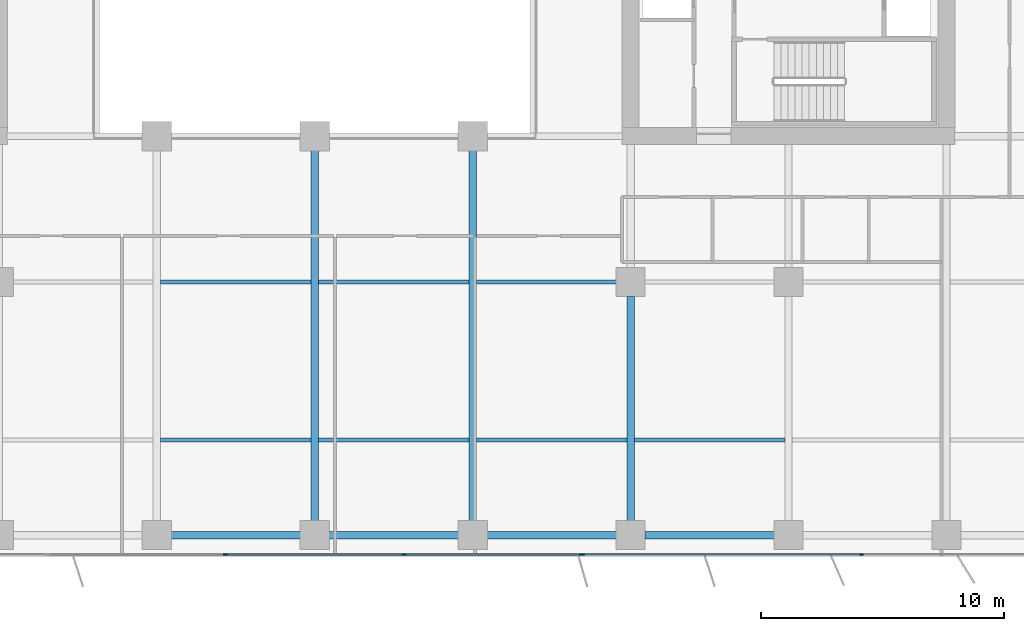
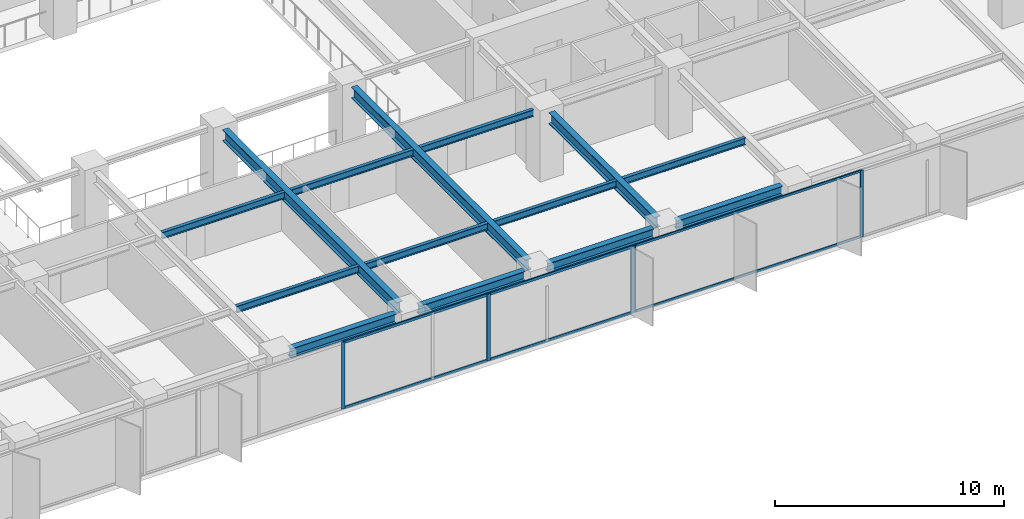
# One storey, part 5 of 20: 14 beams, 11 members, 2 elements without a shape of their own.
"""IFC4 building model written with IfcOpenShell, lengths in metres."""

from ifc_helpers import new_model, si_unit, direction, frame, origin, origin_2d, place, context, subcontext, project, spatial, rectangle, i_section, extrude, material, layer, layer_set, material_profile, profile_set, type_object, element, aggregate, save


model = new_model("IFC4")

# Units and contexts
model_context = context("Model", 3, precision=1e-05, world=origin(), true_north=direction((0.0, 1.0)))
body_context = subcontext(model_context, "Body", "Model", "MODEL_VIEW")
ifc_project = project(units=[si_unit("LENGTHUNIT", "METRE"), si_unit("AREAUNIT", "SQUARE_METRE"), si_unit("VOLUMEUNIT", "CUBIC_METRE"), si_unit("PLANEANGLEUNIT", "RADIAN"), si_unit("MASSUNIT", "GRAM", prefix="KILO")], contexts=[model_context])

# Site, building, storey
site_placement = place(None, origin())
site = spatial("IfcSite", under=ifc_project, at=site_placement, CompositionType="ELEMENT")
building_placement = place(site_placement, origin())
building = spatial("IfcBuilding", under=site, at=building_placement, Name="Putna Gate Headquarters", CompositionType="ELEMENT")
storey_placement = place(building_placement, frame((0.0, 0.0, 93.60009765625)))
storey = spatial("IfcBuildingStorey", under=building, at=storey_placement, Name="L22", CompositionType="ELEMENT", Elevation=93.60009765625)

# Beams
ifc_material_1 = material(Name="Steel S355J2", Category="steel")
ifc_material_profile_1 = material_profile(ifc_material_1, i_section(OverallWidth=0.300048828125, OverallDepth=0.60009765625, WebThickness=0.015380859375, FlangeThickness=0.030029296875, at=origin_2d()), Name="Steel S355J2")
ifc_profile_set_1 = profile_set([ifc_material_profile_1], Name="Steel S355J2")
beam_type_1 = type_object("IfcBeamType", Name="BM-GIRD-Z2-HEB600", PredefinedType="USERDEFINED", material=ifc_profile_set_1)
for number, where, z_axis, x_axis, name in (
    (1, (39.0, 3.16796875, 3.264892578125), (0.0, 1.0, 0.0), (-1.0, 0.0, 0.0), "L22 South Primary Girder X39"),
    (2, (45.5, 3.16796875, 3.264892578125), (0.0, 1.0, 0.0), (-1.0, 0.0, 0.0), "L22 South Primary Girder X45"),
):
    element("IfcBeam", number, at=place(storey_placement, frame(where, z_axis=z_axis, x_axis=x_axis)), inside=storey, type_object=beam_type_1, Name=name, ObjectType="GIRDER", PredefinedType="USERDEFINED", context=body_context, shape_type="SweptSolid", body=[
        extrude(i_section(OverallWidth=0.300048828125, OverallDepth=0.60009765625, WebThickness=0.015380859375, FlangeThickness=0.030029296875, at=origin_2d()), origin(), (0.0, 0.0, 1.0), 15.244140625),
    ])
beam_1_placement = place(storey_placement, frame((52.0, 3.16796875, 3.264892578125), z_axis=(0.0, 1.0, 0.0), x_axis=(-1.0, 0.0, 0.0)))
element("IfcBeam", 3, at=beam_1_placement, inside=storey, type_object=beam_type_1, Name="L22 South Primary Girder X52-1", ObjectType="GIRDER", PredefinedType="USERDEFINED", context=body_context, shape_type="SweptSolid", body=[
    extrude(i_section(OverallWidth=0.300048828125, OverallDepth=0.60009765625, WebThickness=0.015380859375, FlangeThickness=0.030029296875, at=origin_2d()), origin(), (0.0, 0.0, 1.0), 9.244140625),
])
ifc_material_profile_2 = material_profile(ifc_material_1, i_section(OverallWidth=0.169921875, OverallDepth=0.360107421875, WebThickness=0.008056640625, FlangeThickness=0.0126953125, at=origin_2d()), Name="Steel S355J2")
ifc_profile_set_2 = profile_set([ifc_material_profile_2], Name="Steel S355J2")
beam_type_2 = type_object("IfcBeamType", Name="BM-SEC-Z2-IPE360", PredefinedType="BEAM", material=ifc_profile_set_2)
for number, where, z_axis, x_axis, name in (
    (4, (32.654052734375, 6.5, 3.385009765625), (1.0, 0.0, 0.0), (0.0, 1.0, 0.0), "L22 South Secondary Beam 5"),
    (5, (32.654052734375, 13.0, 3.385009765625), (1.0, 0.0, 0.0), (0.0, 1.0, 0.0), "L22 South Secondary Beam 5"),
    (6, (39.154052734375, 6.5, 3.385009765625), (1.0, 0.0, 0.0), (0.0, 1.0, 0.0), "L22 South Secondary Beam 6"),
    (7, (39.154052734375, 13.0, 3.385009765625), (1.0, 0.0, 0.0), (0.0, 1.0, 0.0), "L22 South Secondary Beam 6"),
    (8, (45.654052734375, 6.5, 3.385009765625), (1.0, 0.0, 0.0), (0.0, 1.0, 0.0), "L22 South Secondary Beam 7"),
):
    element("IfcBeam", number, at=place(storey_placement, frame(where, z_axis=z_axis, x_axis=x_axis)), inside=storey, type_object=beam_type_2, Name=name, PredefinedType="BEAM", context=body_context, shape_type="SweptSolid", body=[
        extrude(i_section(OverallWidth=0.169921875, OverallDepth=0.360107421875, WebThickness=0.008056640625, FlangeThickness=0.0126953125, at=origin_2d()), origin(), (0.0, 0.0, 1.0), 6.19189453125),
    ])
beam_2_placement = place(storey_placement, frame((45.654052734375, 13.0, 3.385009765625), z_axis=(1.0, 0.0, 0.0), x_axis=(0.0, 1.0, 0.0)))
element("IfcBeam", 9, at=beam_2_placement, inside=storey, type_object=beam_type_2, Name="L22 South Secondary Beam 7", PredefinedType="BEAM", context=body_context, shape_type="SweptSolid", body=[
    extrude(i_section(OverallWidth=0.169921875, OverallDepth=0.360107421875, WebThickness=0.008056640625, FlangeThickness=0.0126953125, at=origin_2d()), origin(), (0.0, 0.0, 1.0), 5.758056640625),
])
beam_3_placement = place(storey_placement, frame((52.154052734375, 6.5, 3.385009765625), z_axis=(1.0, 0.0, 0.0), x_axis=(0.0, 1.0, 0.0)))
element("IfcBeam", 10, at=beam_3_placement, inside=storey, type_object=beam_type_2, Name="L22 South Secondary Beam 8", PredefinedType="BEAM", context=body_context, shape_type="SweptSolid", body=[
    extrude(i_section(OverallWidth=0.169921875, OverallDepth=0.360107421875, WebThickness=0.008056640625, FlangeThickness=0.0126953125, at=origin_2d()), origin(), (0.0, 0.0, 1.0), 6.19189453125),
])
ifc_material_profile_3 = material_profile(ifc_material_1, i_section(OverallWidth=0.300048828125, OverallDepth=0.489990234375, WebThickness=0.011962890625, FlangeThickness=0.02294921875, at=origin_2d()), Name="Steel S355J2")
ifc_profile_set_3 = profile_set([ifc_material_profile_3], Name="Steel S355J2")
beam_type_3 = type_object("IfcBeamType", Name="BM-SPAN-Z2-HEA500", PredefinedType="SPANDREL", material=ifc_profile_set_3)
for number, where, z_axis, x_axis, name in (
    (11, (33.087890625, 2.580078125, 3.31982421875), (1.0, 0.0, 0.0), (0.0, 1.0, 0.0), "L22 S Perimeter Spandrel 5"),
    (12, (39.587890625, 2.580078125, 3.31982421875), (1.0, 0.0, 0.0), (0.0, 1.0, 0.0), "L22 S Perimeter Spandrel 6"),
    (13, (46.087890625, 2.580078125, 3.31982421875), (1.0, 0.0, 0.0), (0.0, 1.0, 0.0), "L22 S Perimeter Spandrel 7"),
    (14, (52.587890625, 2.580078125, 3.31982421875), (1.0, 0.0, 0.0), (0.0, 1.0, 0.0), "L22 S Perimeter Spandrel 8"),
):
    element("IfcBeam", number, at=place(storey_placement, frame(where, z_axis=z_axis, x_axis=x_axis)), inside=storey, type_object=beam_type_3, Name=name, PredefinedType="SPANDREL", context=body_context, shape_type="SweptSolid", body=[
        extrude(i_section(OverallWidth=0.300048828125, OverallDepth=0.489990234375, WebThickness=0.011962890625, FlangeThickness=0.02294921875, at=origin_2d()), origin(), (0.0, 0.0, 1.0), 5.32421875),
    ])

# Curtain wall, members
ifc_material_2 = material(Name="Anodised bronze aluminium curtain wall", Category="aluminium")
ifc_layer_1 = layer(ifc_material_2, 0.159912109375)
ifc_layer_set_1 = layer_set([ifc_layer_1], Name="Anodised bronze aluminium curtain wall")
curtain_wall_type_1 = type_object("IfcCurtainWallType", Name="CW-SYS-Z2", PredefinedType="USERDEFINED", material=ifc_layer_set_1)
curtain_wall_1_placement = place(storey_placement, origin())
curtain_wall_1 = element("IfcCurtainWall", 15, at=curtain_wall_1_placement, inside=storey, type_object=curtain_wall_type_1, Name="L22 South East Curtain Wall", ObjectType="STICK CURTAIN WALL", PredefinedType="USERDEFINED")
ifc_material_3 = material(Name="Anodised bronze aluminium EN AW-6060", Category="aluminium")
ifc_material_profile_4 = material_profile(ifc_material_3, rectangle(XDim=0.06494140625, YDim=0.159912109375, at=origin_2d()), Name="Anodised bronze aluminium EN AW-6060")
ifc_profile_set_4 = profile_set([ifc_material_profile_4], Name="Anodised bronze aluminium EN AW-6060")
member_type_1 = type_object("IfcMemberType", Name="MULL-CWM-2", PredefinedType="MULLION", material=ifc_profile_set_4)
member_1_placement = place(storey_placement, frame((50.032470703125, 1.780029296875, 0.0), z_axis=(0.0, 0.0, 1.0), x_axis=(0.0, 1.0, 0.0)))
member_1 = element("IfcMember", 16, at=member_1_placement, type_object=member_type_1, Name="CWS-2 mullion 1", PredefinedType="MULLION", context=body_context, shape_type="SweptSolid", body=[
    extrude(rectangle(XDim=0.06494140625, YDim=0.159912109375, at=origin_2d()), origin(), (0.0, 0.0, 1.0), 3.56494140625),
])
member_2_placement = place(storey_placement, frame((61.5, 1.780029296875, 0.0), z_axis=(0.0, 0.0, 1.0), x_axis=(0.0, 1.0, 0.0)))
member_2 = element("IfcMember", 17, at=member_2_placement, type_object=member_type_1, Name="CWS-2 mullion 2", PredefinedType="MULLION", context=body_context, shape_type="SweptSolid", body=[
    extrude(rectangle(XDim=0.06494140625, YDim=0.159912109375, at=origin_2d()), origin(), (0.0, 0.0, 1.0), 3.56494140625),
])

ifc_layer_2 = layer(ifc_material_2, 0.179931640625)
ifc_layer_set_2 = layer_set([ifc_layer_2], Name="Anodised bronze aluminium curtain wall")
curtain_wall_type_2 = type_object("IfcCurtainWallType", Name="CW-SYS-ATR", PredefinedType="USERDEFINED", material=ifc_layer_set_2)
curtain_wall_2_placement = place(storey_placement, origin())
curtain_wall_2 = element("IfcCurtainWall", 18, at=curtain_wall_2_placement, inside=storey, type_object=curtain_wall_type_2, Name="L22 South Atrium Clear Glazing", ObjectType="ATRIUM GLAZING", PredefinedType="USERDEFINED")
ifc_material_profile_5 = material_profile(ifc_material_3, rectangle(XDim=0.070068359375, YDim=0.179931640625, at=origin_2d()), Name="Anodised bronze aluminium EN AW-6060")
ifc_profile_set_5 = profile_set([ifc_material_profile_5], Name="Anodised bronze aluminium EN AW-6060")
member_type_2 = type_object("IfcMemberType", Name="MULL-CWM-AT", PredefinedType="MULLION", material=ifc_profile_set_5)
member_3_placement = place(storey_placement, frame((35.333251953125, 1.780029296875, 0.0), z_axis=(0.0, 0.0, 1.0), x_axis=(0.0, 1.0, 0.0)))
member_3 = element("IfcMember", 19, at=member_3_placement, type_object=member_type_2, Name="CWS-AT mullion 2", PredefinedType="MULLION", context=body_context, shape_type="SweptSolid", body=[
    extrude(rectangle(XDim=0.070068359375, YDim=0.179931640625, at=origin_2d()), origin(), (0.0, 0.0, 1.0), 3.56494140625),
])
member_4_placement = place(storey_placement, frame((42.666748046875, 1.780029296875, 0.0), z_axis=(0.0, 0.0, 1.0), x_axis=(0.0, 1.0, 0.0)))
member_4 = element("IfcMember", 20, at=member_4_placement, type_object=member_type_2, Name="CWS-AT mullion 3", PredefinedType="MULLION", context=body_context, shape_type="SweptSolid", body=[
    extrude(rectangle(XDim=0.070068359375, YDim=0.179931640625, at=origin_2d()), origin(), (0.0, 0.0, 1.0), 3.56494140625),
])
member_5_placement = place(storey_placement, frame((49.965087890625, 1.780029296875, 0.0), z_axis=(0.0, 0.0, 1.0), x_axis=(0.0, 1.0, 0.0)))
member_5 = element("IfcMember", 21, at=member_5_placement, type_object=member_type_2, Name="CWS-AT mullion 4", PredefinedType="MULLION", context=body_context, shape_type="SweptSolid", body=[
    extrude(rectangle(XDim=0.070068359375, YDim=0.179931640625, at=origin_2d()), origin(), (0.0, 0.0, 1.0), 3.56494140625),
])

# Member
ifc_material_profile_6 = material_profile(ifc_material_3, rectangle(XDim=0.06494140625, YDim=0.1201171875, at=origin_2d()), Name="Anodised bronze aluminium EN AW-6060")
ifc_profile_set_6 = profile_set([ifc_material_profile_6], Name="Anodised bronze aluminium EN AW-6060")
member_type_3 = type_object("IfcMemberType", Name="TRAN-CWT-2", PredefinedType="USERDEFINED", material=ifc_profile_set_6)
member_6_placement = place(storey_placement, frame((50.06494140625, 1.780029296875, 0.032470703125), z_axis=(1.0, 0.0, 0.0), x_axis=(0.0, 1.0, 0.0)))
member_6 = element("IfcMember", 22, at=member_6_placement, type_object=member_type_3, Name="CWS-2 transom 1.1", ObjectType="TRANSOM", PredefinedType="USERDEFINED", context=body_context, shape_type="SweptSolid", body=[
    extrude(rectangle(XDim=0.06494140625, YDim=0.1201171875, at=origin_2d()), origin(), (0.0, 0.0, 1.0), 11.402587890625),
])

member_7_placement = place(storey_placement, frame((50.06494140625, 1.780029296875, 3.532470703125), z_axis=(1.0, 0.0, 0.0), x_axis=(0.0, 1.0, 0.0)))
member_7 = element("IfcMember", 23, at=member_7_placement, type_object=member_type_3, Name="CWS-2 transom 1.2", ObjectType="TRANSOM", PredefinedType="USERDEFINED", context=body_context, shape_type="SweptSolid", body=[
    extrude(rectangle(XDim=0.06494140625, YDim=0.1201171875, at=origin_2d()), origin(), (0.0, 0.0, 1.0), 11.402587890625),
])

aggregate(curtain_wall_1, [member_1, member_2, member_6, member_7])

ifc_material_profile_7 = material_profile(ifc_material_3, rectangle(XDim=0.070068359375, YDim=0.139892578125, at=origin_2d()), Name="Anodised bronze aluminium EN AW-6060")
ifc_profile_set_7 = profile_set([ifc_material_profile_7], Name="Anodised bronze aluminium EN AW-6060")
member_type_4 = type_object("IfcMemberType", Name="TRAN-CWT-AT", PredefinedType="USERDEFINED", material=ifc_profile_set_7)
member_8_placement = place(storey_placement, frame((35.368408203125, 1.780029296875, 0.034912109375), z_axis=(1.0, 0.0, 0.0), x_axis=(0.0, 1.0, 0.0)))
member_8 = element("IfcMember", 24, at=member_8_placement, type_object=member_type_4, Name="CWS-AT transom 2.1", ObjectType="TRANSOM", PredefinedType="USERDEFINED", context=body_context, shape_type="SweptSolid", body=[
    extrude(rectangle(XDim=0.070068359375, YDim=0.139892578125, at=origin_2d()), origin(), (0.0, 0.0, 1.0), 7.26318359375),
])

member_9_placement = place(storey_placement, frame((35.368408203125, 1.780029296875, 3.52978515625), z_axis=(1.0, 0.0, 0.0), x_axis=(0.0, 1.0, 0.0)))
member_9 = element("IfcMember", 25, at=member_9_placement, type_object=member_type_4, Name="CWS-AT transom 2.2", ObjectType="TRANSOM", PredefinedType="USERDEFINED", context=body_context, shape_type="SweptSolid", body=[
    extrude(rectangle(XDim=0.070068359375, YDim=0.139892578125, at=origin_2d()), origin(), (0.0, 0.0, 1.0), 7.26318359375),
])

member_10_placement = place(storey_placement, frame((42.70166015625, 1.780029296875, 0.034912109375), z_axis=(1.0, 0.0, 0.0), x_axis=(0.0, 1.0, 0.0)))
member_10 = element("IfcMember", 26, at=member_10_placement, type_object=member_type_4, Name="CWS-AT transom 3.1", ObjectType="TRANSOM", PredefinedType="USERDEFINED", context=body_context, shape_type="SweptSolid", body=[
    extrude(rectangle(XDim=0.070068359375, YDim=0.139892578125, at=origin_2d()), origin(), (0.0, 0.0, 1.0), 7.228271484375),
])

member_11_placement = place(storey_placement, frame((42.70166015625, 1.780029296875, 3.52978515625), z_axis=(1.0, 0.0, 0.0), x_axis=(0.0, 1.0, 0.0)))
member_11 = element("IfcMember", 27, at=member_11_placement, type_object=member_type_4, Name="CWS-AT transom 3.2", ObjectType="TRANSOM", PredefinedType="USERDEFINED", context=body_context, shape_type="SweptSolid", body=[
    extrude(rectangle(XDim=0.070068359375, YDim=0.139892578125, at=origin_2d()), origin(), (0.0, 0.0, 1.0), 7.228271484375),
])

aggregate(curtain_wall_2, [member_3, member_4, member_5, member_8, member_9, member_10, member_11])

save(model, "model.ifc")
